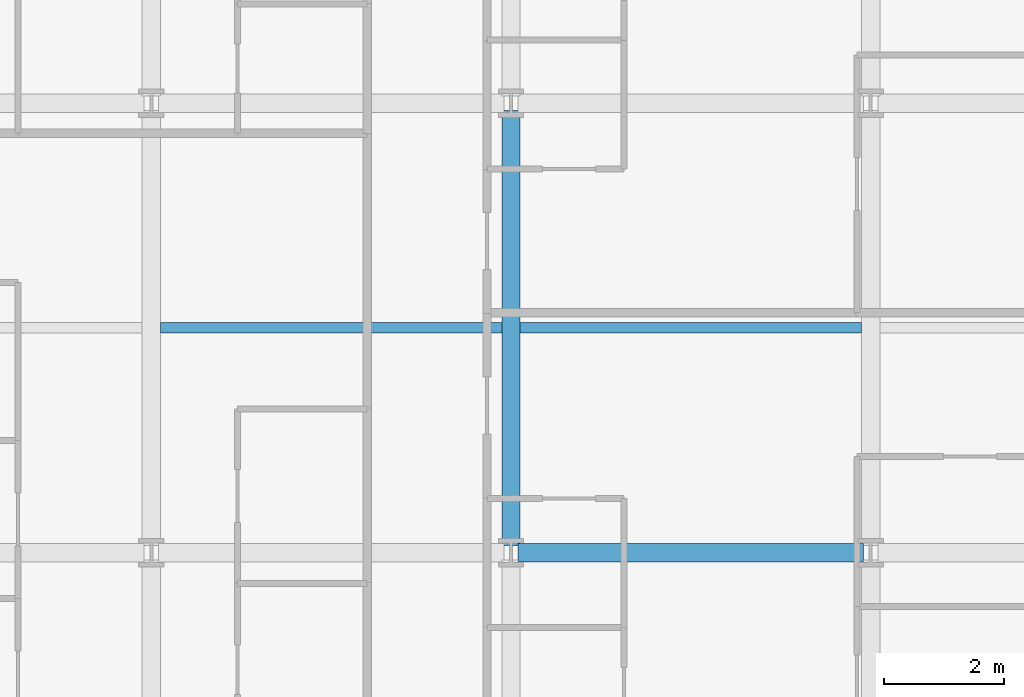
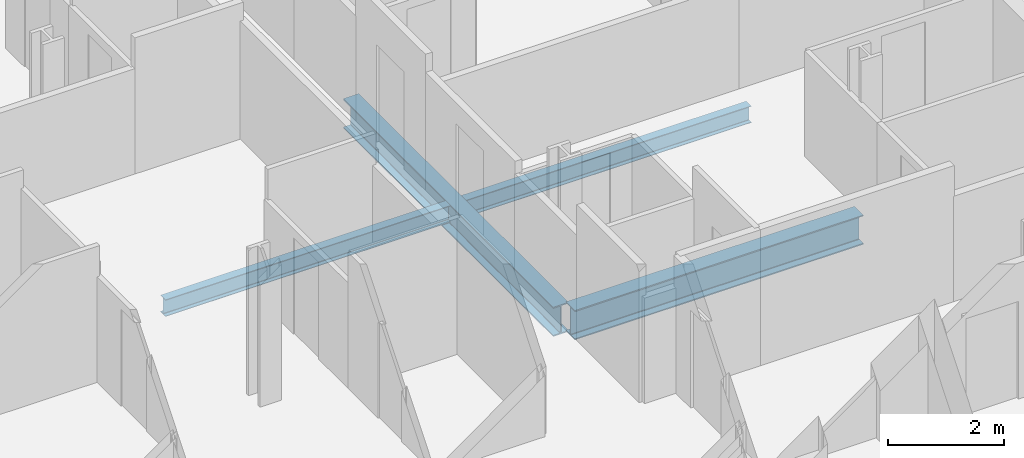
# One storey, part 6 of 41: 4 beams.
"""IFC4 building model written with IfcOpenShell, lengths in metres."""

from ifc_helpers import new_model, si_unit, direction, frame, origin, origin_2d, place, context, subcontext, project, spatial, i_section, extrude, material, material_profile, profile_set, type_object, element, save


model = new_model("IFC4")

# Units and contexts
model_context = context("Model", 3, precision=1e-05, world=origin(), true_north=direction((0.0, 1.0)))
body_context = subcontext(model_context, "Body", "Model", "MODEL_VIEW")
ifc_project = project(units=[si_unit("LENGTHUNIT", "METRE"), si_unit("AREAUNIT", "SQUARE_METRE"), si_unit("VOLUMEUNIT", "CUBIC_METRE"), si_unit("PLANEANGLEUNIT", "RADIAN"), si_unit("MASSUNIT", "GRAM", prefix="KILO")], contexts=[model_context])

# Site, building, storey
site_placement = place(None, origin())
site = spatial("IfcSite", under=ifc_project, at=site_placement, CompositionType="ELEMENT")
building_placement = place(site_placement, origin())
building = spatial("IfcBuilding", under=site, at=building_placement, Name="Brevholm Reach", CompositionType="ELEMENT")
storey_placement = place(building_placement, frame((0.0, 0.0, 43.5)))
storey = spatial("IfcBuildingStorey", under=building, at=storey_placement, Name="L11", CompositionType="ELEMENT", Elevation=43.5)

# Beams
ifc_material_1 = material(Name="Structural Steel S355J2", Category="steel")
ifc_material_profile_1 = material_profile(ifc_material_1, i_section(OverallWidth=0.17138671875, OverallDepth=0.35498046875, WebThickness=0.00732421875, FlangeThickness=0.011474609375, FilletRadius=0.01025390625, at=origin_2d()), Name="UKB 356x171x51")
ifc_profile_set_1 = profile_set([ifc_material_profile_1], Name="Structural Steel S355J2")
beam_type_1 = type_object("IfcBeamType", Name="BM-B356", PredefinedType="BEAM", material=ifc_profile_set_1)
for number, where, z_axis, x_axis, name in (
    (1, (6.153564453125, 19.75, -0.407470703125), (1.0, 0.0, 0.0), (0.0, 1.0, 0.0), "L11 Composite Secondary Floor Beam"),
    (2, (12.153564453125, 19.75, -0.407470703125), (1.0, 0.0, 0.0), (0.0, 1.0, 0.0), "L11 Composite Secondary Floor Beam"),
):
    element("IfcBeam", number, at=place(storey_placement, frame(where, z_axis=z_axis, x_axis=x_axis)), inside=storey, type_object=beam_type_1, Name=name, PredefinedType="BEAM", context=body_context, shape_type="SweptSolid", body=[
        extrude(i_section(OverallWidth=0.17138671875, OverallDepth=0.35498046875, WebThickness=0.00732421875, FlangeThickness=0.011474609375, FilletRadius=0.01025390625, at=origin_2d()), origin(), (0.0, 0.0, 1.0), 5.69287109375),
    ])
ifc_material_2 = material(Name="Structural Steel S355J2", Category="steel")
ifc_material_profile_2 = material_profile(ifc_material_2, i_section(OverallWidth=0.30712890625, OverallDepth=0.6201171875, WebThickness=0.01416015625, FlangeThickness=0.023681640625, FilletRadius=0.0166015625, at=origin_2d()), Name="UKB 610x305x179")
ifc_profile_set_2 = profile_set([ifc_material_profile_2], Name="Structural Steel S355J2")
beam_type_2 = type_object("IfcBeamType", Name="BM-UKB610H", PredefinedType="USERDEFINED", material=ifc_profile_set_2)
beam_1_placement = place(storey_placement, frame((12.1201171875, 16.0, -0.5400390625), z_axis=(1.0, 0.0, 0.0), x_axis=(0.0, 1.0, 0.0)))
element("IfcBeam", 3, at=beam_1_placement, inside=storey, type_object=beam_type_2, Name="L11 G-06 Framing Beam", ObjectType="GIRDER", PredefinedType="USERDEFINED", context=body_context, shape_type="SweptSolid", body=[
    extrude(i_section(OverallWidth=0.30712890625, OverallDepth=0.6201171875, WebThickness=0.01416015625, FlangeThickness=0.023681640625, FilletRadius=0.0166015625, at=origin_2d()), origin(), (0.0, 0.0, 1.0), 5.759765625),
])
beam_2_placement = place(storey_placement, frame((12.0, 16.1201171875, -0.5400390625), z_axis=(0.0, 1.0, 0.0), x_axis=(-1.0, 0.0, 0.0)))
element("IfcBeam", 4, at=beam_2_placement, inside=storey, type_object=beam_type_2, Name="L11 G-06 Framing Beam", ObjectType="GIRDER", PredefinedType="USERDEFINED", context=body_context, shape_type="SweptSolid", body=[
    extrude(i_section(OverallWidth=0.30712890625, OverallDepth=0.6201171875, WebThickness=0.01416015625, FlangeThickness=0.023681640625, FilletRadius=0.0166015625, at=origin_2d()), origin(), (0.0, 0.0, 1.0), 7.259765625),
])

save(model, "model.ifc")
